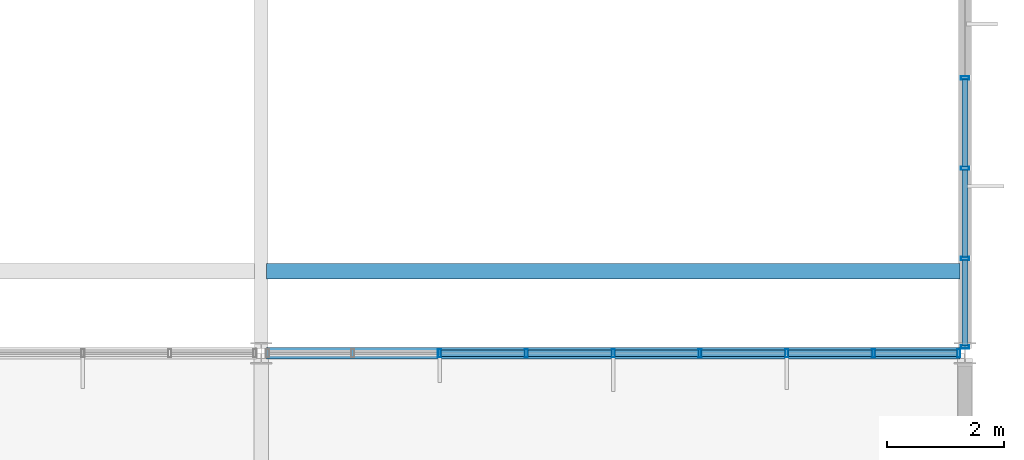
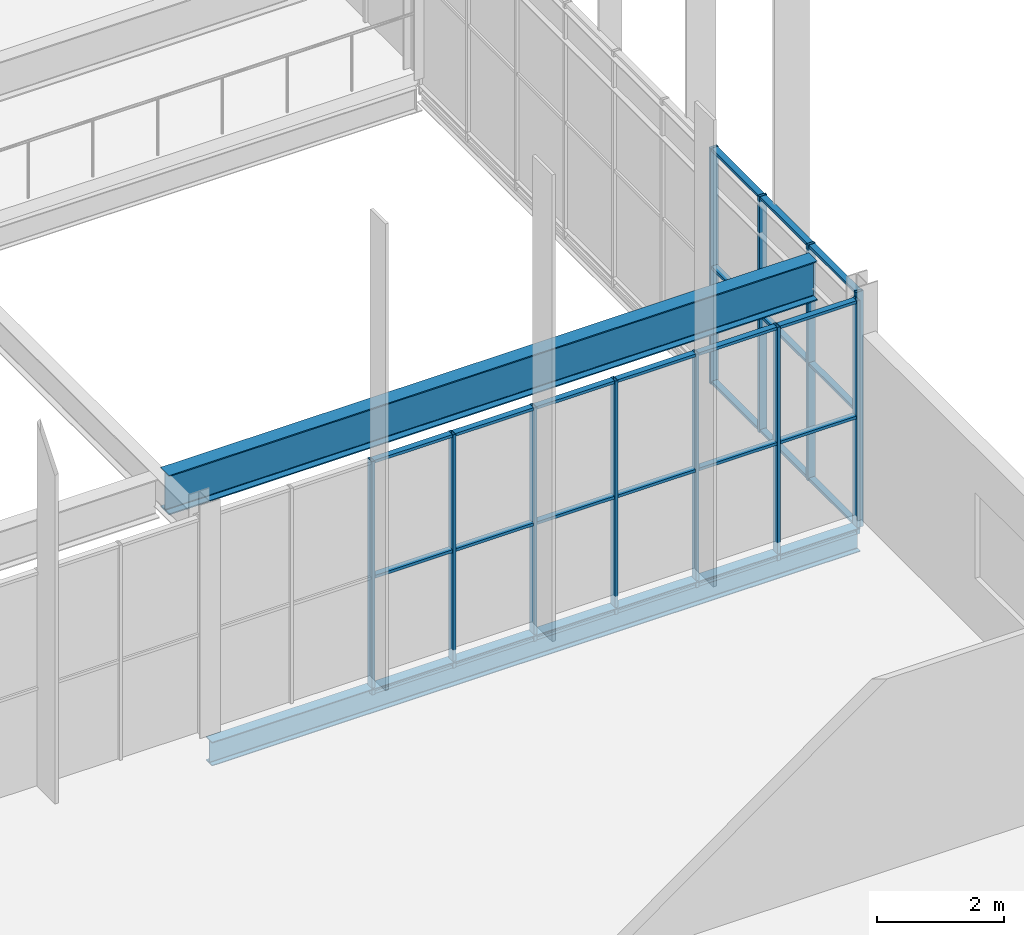
# One storey, part 198 of 324: 38 members, 2 beams, 2 elements without a shape of their own.
"""IFC4 building model written with IfcOpenShell, lengths in metres."""

from ifc_helpers import new_model, si_unit, direction, frame, origin, origin_2d, place, context, subcontext, project, spatial, hollow_rectangle, i_section, extrude, material, layer, layer_set, material_profile, profile_set, type_object, element, aggregate, save


model = new_model("IFC4")

# Units and contexts
model_context = context("Model", 3, precision=1e-05, world=origin(), true_north=direction((0.0, 1.0)))
body_context = subcontext(model_context, "Body", "Model", "MODEL_VIEW")
ifc_project = project(units=[si_unit("LENGTHUNIT", "METRE"), si_unit("AREAUNIT", "SQUARE_METRE"), si_unit("VOLUMEUNIT", "CUBIC_METRE"), si_unit("PLANEANGLEUNIT", "RADIAN"), si_unit("MASSUNIT", "GRAM", prefix="KILO")], contexts=[model_context])

# Site, building, storey
site_placement = place(None, origin())
site = spatial("IfcSite", under=ifc_project, at=site_placement, CompositionType="ELEMENT")
building_placement = place(site_placement, origin())
building = spatial("IfcBuilding", under=site, at=building_placement, Name="Solvenia Promenade Tram Depot", CompositionType="ELEMENT")
storey_placement = place(building_placement, frame((0.0, 0.0, 4.5)))
storey = spatial("IfcBuildingStorey", under=building, at=storey_placement, Name="L01", CompositionType="ELEMENT", Elevation=4.5)

# Curtain wall, members
ifc_material_1 = material(Name="Anodized aluminium AW-6063 T6", Category="aluminium")
ifc_layer = layer(ifc_material_1, 0.080078125, Name="Anodized aluminium AW-6063 T6", Category="aluminium")
ifc_layer_set = layer_set([ifc_layer], Name="Anodized aluminium AW-6063 T6")
curtain_wall_type = type_object("IfcCurtainWallType", Name="CW-Clerest-1500", PredefinedType="NOTDEFINED", material=ifc_layer_set)
curtain_wall_1_placement = place(storey_placement, origin())
curtain_wall_1 = element("IfcCurtainWall", 1, at=curtain_wall_1_placement, inside=storey, type_object=curtain_wall_type, Name="Curtain Wall CW-V2S-L1-09", PredefinedType="NOTDEFINED")
ifc_material_profile_1 = material_profile(ifc_material_1, hollow_rectangle(XDim=0.139892578125, YDim=0.054931640625, WallThickness=0.00390625, at=origin_2d()), Name="ALU-M4", Category="aluminium")
ifc_profile_set_1 = profile_set([ifc_material_profile_1], Name="Anodized aluminium AW-6063 T6")
member_type_1 = type_object("IfcMemberType", Name="CWM-Mullion-4", PredefinedType="MULLION", material=ifc_profile_set_1)
member_1_placement = place(storey_placement, frame((177.0400390625, 24.0, -0.35009765625), z_axis=(0.0, 0.0, 1.0), x_axis=(0.0, 1.0, 0.0)))
member_1 = element("IfcMember", 2, at=member_1_placement, type_object=member_type_1, Name="CW-4 mullion 3", PredefinedType="MULLION", context=body_context, shape_type="SweptSolid", body=[
    extrude(hollow_rectangle(XDim=0.139892578125, YDim=0.054931640625, WallThickness=0.00390625, at=origin_2d()), origin(), (0.0, 0.0, 1.0), 4.5),
])
member_2_placement = place(storey_placement, frame((178.52001953125, 24.0, -0.35009765625), z_axis=(0.0, 0.0, 1.0), x_axis=(0.0, 1.0, 0.0)))
member_2 = element("IfcMember", 3, at=member_2_placement, type_object=member_type_1, Name="CW-4 mullion 4", PredefinedType="MULLION", context=body_context, shape_type="SweptSolid", body=[
    extrude(hollow_rectangle(XDim=0.139892578125, YDim=0.054931640625, WallThickness=0.00390625, at=origin_2d()), origin(), (0.0, 0.0, 1.0), 4.5),
])
member_3_placement = place(storey_placement, frame((180.0, 24.0, -0.35009765625), z_axis=(0.0, 0.0, 1.0), x_axis=(0.0, 1.0, 0.0)))
member_3 = element("IfcMember", 4, at=member_3_placement, type_object=member_type_1, Name="CW-4 mullion 5", PredefinedType="MULLION", context=body_context, shape_type="SweptSolid", body=[
    extrude(hollow_rectangle(XDim=0.139892578125, YDim=0.054931640625, WallThickness=0.00390625, at=origin_2d()), origin(), (0.0, 0.0, 1.0), 4.5),
])
member_4_placement = place(storey_placement, frame((181.47998046875, 24.0, -0.35009765625), z_axis=(0.0, 0.0, 1.0), x_axis=(0.0, 1.0, 0.0)))
member_4 = element("IfcMember", 5, at=member_4_placement, type_object=member_type_1, Name="CW-4 mullion 6", PredefinedType="MULLION", context=body_context, shape_type="SweptSolid", body=[
    extrude(hollow_rectangle(XDim=0.139892578125, YDim=0.054931640625, WallThickness=0.00390625, at=origin_2d()), origin(), (0.0, 0.0, 1.0), 4.5),
])
member_5_placement = place(storey_placement, frame((182.9599609375, 24.0, -0.35009765625), z_axis=(0.0, 0.0, 1.0), x_axis=(0.0, 1.0, 0.0)))
member_5 = element("IfcMember", 6, at=member_5_placement, type_object=member_type_1, Name="CW-4 mullion 7", PredefinedType="MULLION", context=body_context, shape_type="SweptSolid", body=[
    extrude(hollow_rectangle(XDim=0.139892578125, YDim=0.054931640625, WallThickness=0.00390625, at=origin_2d()), origin(), (0.0, 0.0, 1.0), 4.5),
])
member_6_placement = place(storey_placement, frame((184.43994140625, 24.0, -0.35009765625), z_axis=(0.0, 0.0, 1.0), x_axis=(0.0, 1.0, 0.0)))
member_6 = element("IfcMember", 7, at=member_6_placement, type_object=member_type_1, Name="CW-4 mullion 8", PredefinedType="MULLION", context=body_context, shape_type="SweptSolid", body=[
    extrude(hollow_rectangle(XDim=0.139892578125, YDim=0.054931640625, WallThickness=0.00390625, at=origin_2d()), origin(), (0.0, 0.0, 1.0), 4.5),
])
member_7_placement = place(storey_placement, frame((185.892578125, 24.0, -0.35009765625), z_axis=(0.0, 0.0, 1.0), x_axis=(0.0, 1.0, 0.0)))
member_7 = element("IfcMember", 8, at=member_7_placement, type_object=member_type_1, Name="CW-4 mullion 9", PredefinedType="MULLION", context=body_context, shape_type="SweptSolid", body=[
    extrude(hollow_rectangle(XDim=0.139892578125, YDim=0.054931640625, WallThickness=0.00390625, at=origin_2d()), origin(), (0.0, 0.0, 1.0), 4.5),
])

curtain_wall_2_placement = place(storey_placement, origin())
curtain_wall_2 = element("IfcCurtainWall", 9, at=curtain_wall_2_placement, inside=storey, type_object=curtain_wall_type, Name="Curtain Wall CW-V2E-L1-1", PredefinedType="NOTDEFINED")
member_8_placement = place(storey_placement, frame((186.0, 24.107421875, -0.35009765625), z_axis=(0.0, 0.0, 1.0), x_axis=(-1.0, 0.0, 0.0)))
member_8 = element("IfcMember", 10, at=member_8_placement, type_object=member_type_1, Name="CW-4 mullion 1", PredefinedType="MULLION", context=body_context, shape_type="SweptSolid", body=[
    extrude(hollow_rectangle(XDim=0.139892578125, YDim=0.054931640625, WallThickness=0.00390625, at=origin_2d()), origin(), (0.0, 0.0, 1.0), 4.550048828125),
])
member_9_placement = place(storey_placement, frame((186.0, 25.61767578125, -0.35009765625), z_axis=(0.0, 0.0, 1.0), x_axis=(-1.0, 0.0, 0.0)))
member_9 = element("IfcMember", 11, at=member_9_placement, type_object=member_type_1, Name="CW-4 mullion 2", PredefinedType="MULLION", context=body_context, shape_type="SweptSolid", body=[
    extrude(hollow_rectangle(XDim=0.139892578125, YDim=0.054931640625, WallThickness=0.00390625, at=origin_2d()), origin(), (0.0, 0.0, 1.0), 4.550048828125),
])
member_10_placement = place(storey_placement, frame((186.0, 27.155517578125, -0.35009765625), z_axis=(0.0, 0.0, 1.0), x_axis=(-1.0, 0.0, 0.0)))
member_10 = element("IfcMember", 12, at=member_10_placement, type_object=member_type_1, Name="CW-4 mullion 3", PredefinedType="MULLION", context=body_context, shape_type="SweptSolid", body=[
    extrude(hollow_rectangle(XDim=0.139892578125, YDim=0.054931640625, WallThickness=0.00390625, at=origin_2d()), origin(), (0.0, 0.0, 1.0), 4.550048828125),
])
member_11_placement = place(storey_placement, frame((186.0, 28.693359375, -0.35009765625), z_axis=(0.0, 0.0, 1.0), x_axis=(-1.0, 0.0, 0.0)))
member_11 = element("IfcMember", 13, at=member_11_placement, type_object=member_type_1, Name="CW-4 mullion 4", PredefinedType="MULLION", context=body_context, shape_type="SweptSolid", body=[
    extrude(hollow_rectangle(XDim=0.139892578125, YDim=0.054931640625, WallThickness=0.00390625, at=origin_2d()), origin(), (0.0, 0.0, 1.0), 4.550048828125),
])

# Member
ifc_material_profile_2 = material_profile(ifc_material_1, hollow_rectangle(XDim=0.110107421875, YDim=0.054931640625, WallThickness=0.00390625, at=origin_2d()), Name="ALU-T4", Category="aluminium")
ifc_profile_set_2 = profile_set([ifc_material_profile_2], Name="Anodized aluminium AW-6063 T6")
member_type_2 = type_object("IfcMemberType", Name="CWT-Transom-4", PredefinedType="USERDEFINED", material=ifc_profile_set_2)
member_12_placement = place(storey_placement, frame((177.0673828125, 24.0, -0.322509765625), z_axis=(1.0, 0.0, 0.0), x_axis=(0.0, 1.0, 0.0)))
member_12 = element("IfcMember", 14, at=member_12_placement, type_object=member_type_2, Name="CW-4 transom 3.1", ObjectType="TRANSOM", PredefinedType="USERDEFINED", context=body_context, shape_type="SweptSolid", body=[
    extrude(hollow_rectangle(XDim=0.110107421875, YDim=0.054931640625, WallThickness=0.00390625, at=origin_2d()), origin(), (0.0, 0.0, 1.0), 1.425048828125),
])

member_13_placement = place(storey_placement, frame((177.0673828125, 24.0, 1.89990234375), z_axis=(1.0, 0.0, 0.0), x_axis=(0.0, 1.0, 0.0)))
member_13 = element("IfcMember", 15, at=member_13_placement, type_object=member_type_2, Name="CW-4 transom 3.2", ObjectType="TRANSOM", PredefinedType="USERDEFINED", context=body_context, shape_type="SweptSolid", body=[
    extrude(hollow_rectangle(XDim=0.110107421875, YDim=0.054931640625, WallThickness=0.00390625, at=origin_2d()), origin(), (0.0, 0.0, 1.0), 1.425048828125),
])

member_14_placement = place(storey_placement, frame((177.0673828125, 24.0, 4.12255859375), z_axis=(1.0, 0.0, 0.0), x_axis=(0.0, 1.0, 0.0)))
member_14 = element("IfcMember", 16, at=member_14_placement, type_object=member_type_2, Name="CW-4 transom 3.3", ObjectType="TRANSOM", PredefinedType="USERDEFINED", context=body_context, shape_type="SweptSolid", body=[
    extrude(hollow_rectangle(XDim=0.110107421875, YDim=0.054931640625, WallThickness=0.00390625, at=origin_2d()), origin(), (0.0, 0.0, 1.0), 1.425048828125),
])

member_15_placement = place(storey_placement, frame((178.547607421875, 24.0, -0.322509765625), z_axis=(1.0, 0.0, 0.0), x_axis=(0.0, 1.0, 0.0)))
member_15 = element("IfcMember", 17, at=member_15_placement, type_object=member_type_2, Name="CW-4 transom 4.1", ObjectType="TRANSOM", PredefinedType="USERDEFINED", context=body_context, shape_type="SweptSolid", body=[
    extrude(hollow_rectangle(XDim=0.110107421875, YDim=0.054931640625, WallThickness=0.00390625, at=origin_2d()), origin(), (0.0, 0.0, 1.0), 1.4248046875),
])

member_16_placement = place(storey_placement, frame((178.547607421875, 24.0, 1.89990234375), z_axis=(1.0, 0.0, 0.0), x_axis=(0.0, 1.0, 0.0)))
member_16 = element("IfcMember", 18, at=member_16_placement, type_object=member_type_2, Name="CW-4 transom 4.2", ObjectType="TRANSOM", PredefinedType="USERDEFINED", context=body_context, shape_type="SweptSolid", body=[
    extrude(hollow_rectangle(XDim=0.110107421875, YDim=0.054931640625, WallThickness=0.00390625, at=origin_2d()), origin(), (0.0, 0.0, 1.0), 1.4248046875),
])

member_17_placement = place(storey_placement, frame((178.547607421875, 24.0, 4.12255859375), z_axis=(1.0, 0.0, 0.0), x_axis=(0.0, 1.0, 0.0)))
member_17 = element("IfcMember", 19, at=member_17_placement, type_object=member_type_2, Name="CW-4 transom 4.3", ObjectType="TRANSOM", PredefinedType="USERDEFINED", context=body_context, shape_type="SweptSolid", body=[
    extrude(hollow_rectangle(XDim=0.110107421875, YDim=0.054931640625, WallThickness=0.00390625, at=origin_2d()), origin(), (0.0, 0.0, 1.0), 1.4248046875),
])

member_18_placement = place(storey_placement, frame((180.027587890625, 24.0, -0.322509765625), z_axis=(1.0, 0.0, 0.0), x_axis=(0.0, 1.0, 0.0)))
member_18 = element("IfcMember", 20, at=member_18_placement, type_object=member_type_2, Name="CW-4 transom 5.1", ObjectType="TRANSOM", PredefinedType="USERDEFINED", context=body_context, shape_type="SweptSolid", body=[
    extrude(hollow_rectangle(XDim=0.110107421875, YDim=0.054931640625, WallThickness=0.00390625, at=origin_2d()), origin(), (0.0, 0.0, 1.0), 1.4248046875),
])

member_19_placement = place(storey_placement, frame((180.027587890625, 24.0, 1.89990234375), z_axis=(1.0, 0.0, 0.0), x_axis=(0.0, 1.0, 0.0)))
member_19 = element("IfcMember", 21, at=member_19_placement, type_object=member_type_2, Name="CW-4 transom 5.2", ObjectType="TRANSOM", PredefinedType="USERDEFINED", context=body_context, shape_type="SweptSolid", body=[
    extrude(hollow_rectangle(XDim=0.110107421875, YDim=0.054931640625, WallThickness=0.00390625, at=origin_2d()), origin(), (0.0, 0.0, 1.0), 1.4248046875),
])

member_20_placement = place(storey_placement, frame((180.027587890625, 24.0, 4.12255859375), z_axis=(1.0, 0.0, 0.0), x_axis=(0.0, 1.0, 0.0)))
member_20 = element("IfcMember", 22, at=member_20_placement, type_object=member_type_2, Name="CW-4 transom 5.3", ObjectType="TRANSOM", PredefinedType="USERDEFINED", context=body_context, shape_type="SweptSolid", body=[
    extrude(hollow_rectangle(XDim=0.110107421875, YDim=0.054931640625, WallThickness=0.00390625, at=origin_2d()), origin(), (0.0, 0.0, 1.0), 1.4248046875),
])

member_21_placement = place(storey_placement, frame((181.507568359375, 24.0, -0.322509765625), z_axis=(1.0, 0.0, 0.0), x_axis=(0.0, 1.0, 0.0)))
member_21 = element("IfcMember", 23, at=member_21_placement, type_object=member_type_2, Name="CW-4 transom 6.1", ObjectType="TRANSOM", PredefinedType="USERDEFINED", context=body_context, shape_type="SweptSolid", body=[
    extrude(hollow_rectangle(XDim=0.110107421875, YDim=0.054931640625, WallThickness=0.00390625, at=origin_2d()), origin(), (0.0, 0.0, 1.0), 1.425048828125),
])

member_22_placement = place(storey_placement, frame((181.507568359375, 24.0, 1.89990234375), z_axis=(1.0, 0.0, 0.0), x_axis=(0.0, 1.0, 0.0)))
member_22 = element("IfcMember", 24, at=member_22_placement, type_object=member_type_2, Name="CW-4 transom 6.2", ObjectType="TRANSOM", PredefinedType="USERDEFINED", context=body_context, shape_type="SweptSolid", body=[
    extrude(hollow_rectangle(XDim=0.110107421875, YDim=0.054931640625, WallThickness=0.00390625, at=origin_2d()), origin(), (0.0, 0.0, 1.0), 1.425048828125),
])

member_23_placement = place(storey_placement, frame((181.507568359375, 24.0, 4.12255859375), z_axis=(1.0, 0.0, 0.0), x_axis=(0.0, 1.0, 0.0)))
member_23 = element("IfcMember", 25, at=member_23_placement, type_object=member_type_2, Name="CW-4 transom 6.3", ObjectType="TRANSOM", PredefinedType="USERDEFINED", context=body_context, shape_type="SweptSolid", body=[
    extrude(hollow_rectangle(XDim=0.110107421875, YDim=0.054931640625, WallThickness=0.00390625, at=origin_2d()), origin(), (0.0, 0.0, 1.0), 1.425048828125),
])

member_24_placement = place(storey_placement, frame((182.987548828125, 24.0, -0.322509765625), z_axis=(1.0, 0.0, 0.0), x_axis=(0.0, 1.0, 0.0)))
member_24 = element("IfcMember", 26, at=member_24_placement, type_object=member_type_2, Name="CW-4 transom 7.1", ObjectType="TRANSOM", PredefinedType="USERDEFINED", context=body_context, shape_type="SweptSolid", body=[
    extrude(hollow_rectangle(XDim=0.110107421875, YDim=0.054931640625, WallThickness=0.00390625, at=origin_2d()), origin(), (0.0, 0.0, 1.0), 1.425048828125),
])

member_25_placement = place(storey_placement, frame((182.987548828125, 24.0, 1.89990234375), z_axis=(1.0, 0.0, 0.0), x_axis=(0.0, 1.0, 0.0)))
member_25 = element("IfcMember", 27, at=member_25_placement, type_object=member_type_2, Name="CW-4 transom 7.2", ObjectType="TRANSOM", PredefinedType="USERDEFINED", context=body_context, shape_type="SweptSolid", body=[
    extrude(hollow_rectangle(XDim=0.110107421875, YDim=0.054931640625, WallThickness=0.00390625, at=origin_2d()), origin(), (0.0, 0.0, 1.0), 1.425048828125),
])

member_26_placement = place(storey_placement, frame((182.987548828125, 24.0, 4.12255859375), z_axis=(1.0, 0.0, 0.0), x_axis=(0.0, 1.0, 0.0)))
member_26 = element("IfcMember", 28, at=member_26_placement, type_object=member_type_2, Name="CW-4 transom 7.3", ObjectType="TRANSOM", PredefinedType="USERDEFINED", context=body_context, shape_type="SweptSolid", body=[
    extrude(hollow_rectangle(XDim=0.110107421875, YDim=0.054931640625, WallThickness=0.00390625, at=origin_2d()), origin(), (0.0, 0.0, 1.0), 1.425048828125),
])

member_27_placement = place(storey_placement, frame((184.467529296875, 24.0, -0.322509765625), z_axis=(1.0, 0.0, 0.0), x_axis=(0.0, 1.0, 0.0)))
member_27 = element("IfcMember", 29, at=member_27_placement, type_object=member_type_2, Name="CW-4 transom 8.1", ObjectType="TRANSOM", PredefinedType="USERDEFINED", context=body_context, shape_type="SweptSolid", body=[
    extrude(hollow_rectangle(XDim=0.110107421875, YDim=0.054931640625, WallThickness=0.00390625, at=origin_2d()), origin(), (0.0, 0.0, 1.0), 1.3974609375),
])

member_28_placement = place(storey_placement, frame((184.467529296875, 24.0, 1.89990234375), z_axis=(1.0, 0.0, 0.0), x_axis=(0.0, 1.0, 0.0)))
member_28 = element("IfcMember", 30, at=member_28_placement, type_object=member_type_2, Name="CW-4 transom 8.2", ObjectType="TRANSOM", PredefinedType="USERDEFINED", context=body_context, shape_type="SweptSolid", body=[
    extrude(hollow_rectangle(XDim=0.110107421875, YDim=0.054931640625, WallThickness=0.00390625, at=origin_2d()), origin(), (0.0, 0.0, 1.0), 1.3974609375),
])

member_29_placement = place(storey_placement, frame((184.467529296875, 24.0, 4.12255859375), z_axis=(1.0, 0.0, 0.0), x_axis=(0.0, 1.0, 0.0)))
member_29 = element("IfcMember", 31, at=member_29_placement, type_object=member_type_2, Name="CW-4 transom 8.3", ObjectType="TRANSOM", PredefinedType="USERDEFINED", context=body_context, shape_type="SweptSolid", body=[
    extrude(hollow_rectangle(XDim=0.110107421875, YDim=0.054931640625, WallThickness=0.00390625, at=origin_2d()), origin(), (0.0, 0.0, 1.0), 1.3974609375),
])

aggregate(curtain_wall_1, [member_1, member_2, member_3, member_4, member_5, member_6, member_7, member_12, member_13, member_14, member_15, member_16, member_17, member_18, member_19, member_20, member_21, member_22, member_23, member_24, member_25, member_26, member_27, member_28, member_29])

member_30_placement = place(storey_placement, frame((186.0, 24.135009765625, -0.322509765625), z_axis=(0.0, 1.0, 0.0), x_axis=(-1.0, 0.0, 0.0)))
member_30 = element("IfcMember", 32, at=member_30_placement, type_object=member_type_2, Name="CW-4 transom 1.1", ObjectType="TRANSOM", PredefinedType="USERDEFINED", context=body_context, shape_type="SweptSolid", body=[
    extrude(hollow_rectangle(XDim=0.110107421875, YDim=0.054931640625, WallThickness=0.00390625, at=origin_2d()), origin(), (0.0, 0.0, 1.0), 1.455322265625),
])

member_31_placement = place(storey_placement, frame((186.0, 24.135009765625, 1.89990234375), z_axis=(0.0, 1.0, 0.0), x_axis=(-1.0, 0.0, 0.0)))
member_31 = element("IfcMember", 33, at=member_31_placement, type_object=member_type_2, Name="CW-4 transom 1.2", ObjectType="TRANSOM", PredefinedType="USERDEFINED", context=body_context, shape_type="SweptSolid", body=[
    extrude(hollow_rectangle(XDim=0.110107421875, YDim=0.054931640625, WallThickness=0.00390625, at=origin_2d()), origin(), (0.0, 0.0, 1.0), 1.455322265625),
])

member_32_placement = place(storey_placement, frame((186.0, 24.135009765625, 4.172607421875), z_axis=(0.0, 1.0, 0.0), x_axis=(-1.0, 0.0, 0.0)))
member_32 = element("IfcMember", 34, at=member_32_placement, type_object=member_type_2, Name="CW-4 transom 1.3", ObjectType="TRANSOM", PredefinedType="USERDEFINED", context=body_context, shape_type="SweptSolid", body=[
    extrude(hollow_rectangle(XDim=0.110107421875, YDim=0.054931640625, WallThickness=0.00390625, at=origin_2d()), origin(), (0.0, 0.0, 1.0), 1.455322265625),
])

member_33_placement = place(storey_placement, frame((186.0, 25.645263671875, -0.322509765625), z_axis=(0.0, 1.0, 0.0), x_axis=(-1.0, 0.0, 0.0)))
member_33 = element("IfcMember", 35, at=member_33_placement, type_object=member_type_2, Name="CW-4 transom 2.1", ObjectType="TRANSOM", PredefinedType="USERDEFINED", context=body_context, shape_type="SweptSolid", body=[
    extrude(hollow_rectangle(XDim=0.110107421875, YDim=0.054931640625, WallThickness=0.00390625, at=origin_2d()), origin(), (0.0, 0.0, 1.0), 1.48291015625),
])

member_34_placement = place(storey_placement, frame((186.0, 25.645263671875, 1.89990234375), z_axis=(0.0, 1.0, 0.0), x_axis=(-1.0, 0.0, 0.0)))
member_34 = element("IfcMember", 36, at=member_34_placement, type_object=member_type_2, Name="CW-4 transom 2.2", ObjectType="TRANSOM", PredefinedType="USERDEFINED", context=body_context, shape_type="SweptSolid", body=[
    extrude(hollow_rectangle(XDim=0.110107421875, YDim=0.054931640625, WallThickness=0.00390625, at=origin_2d()), origin(), (0.0, 0.0, 1.0), 1.48291015625),
])

member_35_placement = place(storey_placement, frame((186.0, 25.645263671875, 4.172607421875), z_axis=(0.0, 1.0, 0.0), x_axis=(-1.0, 0.0, 0.0)))
member_35 = element("IfcMember", 37, at=member_35_placement, type_object=member_type_2, Name="CW-4 transom 2.3", ObjectType="TRANSOM", PredefinedType="USERDEFINED", context=body_context, shape_type="SweptSolid", body=[
    extrude(hollow_rectangle(XDim=0.110107421875, YDim=0.054931640625, WallThickness=0.00390625, at=origin_2d()), origin(), (0.0, 0.0, 1.0), 1.48291015625),
])

member_36_placement = place(storey_placement, frame((186.0, 27.18310546875, -0.322509765625), z_axis=(0.0, 1.0, 0.0), x_axis=(-1.0, 0.0, 0.0)))
member_36 = element("IfcMember", 38, at=member_36_placement, type_object=member_type_2, Name="CW-4 transom 3.1", ObjectType="TRANSOM", PredefinedType="USERDEFINED", context=body_context, shape_type="SweptSolid", body=[
    extrude(hollow_rectangle(XDim=0.110107421875, YDim=0.054931640625, WallThickness=0.00390625, at=origin_2d()), origin(), (0.0, 0.0, 1.0), 1.482666015625),
])

member_37_placement = place(storey_placement, frame((186.0, 27.18310546875, 1.89990234375), z_axis=(0.0, 1.0, 0.0), x_axis=(-1.0, 0.0, 0.0)))
member_37 = element("IfcMember", 39, at=member_37_placement, type_object=member_type_2, Name="CW-4 transom 3.2", ObjectType="TRANSOM", PredefinedType="USERDEFINED", context=body_context, shape_type="SweptSolid", body=[
    extrude(hollow_rectangle(XDim=0.110107421875, YDim=0.054931640625, WallThickness=0.00390625, at=origin_2d()), origin(), (0.0, 0.0, 1.0), 1.482666015625),
])

member_38_placement = place(storey_placement, frame((186.0, 27.18310546875, 4.172607421875), z_axis=(0.0, 1.0, 0.0), x_axis=(-1.0, 0.0, 0.0)))
member_38 = element("IfcMember", 40, at=member_38_placement, type_object=member_type_2, Name="CW-4 transom 3.3", ObjectType="TRANSOM", PredefinedType="USERDEFINED", context=body_context, shape_type="SweptSolid", body=[
    extrude(hollow_rectangle(XDim=0.110107421875, YDim=0.054931640625, WallThickness=0.00390625, at=origin_2d()), origin(), (0.0, 0.0, 1.0), 1.482666015625),
])

aggregate(curtain_wall_2, [member_8, member_9, member_10, member_11, member_30, member_31, member_32, member_33, member_34, member_35, member_36, member_37, member_38])

# Beams
ifc_material_2 = material(Name="Structural steel ASTM A992 Gr. 50", Category="steel")
ifc_material_profile_3 = material_profile(ifc_material_2, i_section(OverallWidth=0.26708984375, OverallDepth=0.761962890625, WebThickness=0.014404296875, FlangeThickness=0.021484375, FilletRadius=0.01806640625, at=origin_2d()), Name="W760x173", Category="steel")
ifc_profile_set_3 = profile_set([ifc_material_profile_3], Name="Structural steel ASTM A992 Gr. 50")
beam_type_1 = type_object("IfcBeamType", Name="Gird-W760x173", PredefinedType="BEAM", material=ifc_profile_set_3)
beam_1_placement = place(storey_placement, frame((174.0849609375, 25.39990234375, 3.718994140625), z_axis=(1.0, 0.0, 0.0), x_axis=(0.0, 1.0, 0.0)))
element("IfcBeam", 41, at=beam_1_placement, inside=storey, type_object=beam_type_1, Name="Bridge Crane Runway Girder BM-L01-0924", PredefinedType="BEAM", context=body_context, shape_type="SweptSolid", body=[
    extrude(i_section(OverallWidth=0.26708984375, OverallDepth=0.761962890625, WebThickness=0.014404296875, FlangeThickness=0.021484375, FilletRadius=0.01806640625, at=origin_2d()), origin(), (0.0, 0.0, 1.0), 11.830078125),
])
ifc_material_profile_4 = material_profile(ifc_material_2, i_section(OverallWidth=0.19091796875, OverallDepth=0.4599609375, WebThickness=0.010009765625, FlangeThickness=0.01611328125, FilletRadius=0.012939453125, at=origin_2d()), Name="W460x82", Category="steel")
ifc_profile_set_4 = profile_set([ifc_material_profile_4], Name="Structural steel ASTM A992 Gr. 50")
beam_type_2 = type_object("IfcBeamType", Name="Spandrel-W460x82", PredefinedType="SPANDREL", material=ifc_profile_set_4)
beam_2_placement = place(storey_placement, frame((174.0849609375, 24.0, -0.449951171875), z_axis=(1.0, 0.0, 0.0), x_axis=(0.0, 1.0, 0.0)))
element("IfcBeam", 42, at=beam_2_placement, inside=storey, type_object=beam_type_2, Name="Perimeter Spandrel BM-L01-0423", PredefinedType="SPANDREL", context=body_context, shape_type="SweptSolid", body=[
    extrude(i_section(OverallWidth=0.19091796875, OverallDepth=0.4599609375, WebThickness=0.010009765625, FlangeThickness=0.01611328125, FilletRadius=0.012939453125, at=origin_2d()), origin(), (0.0, 0.0, 1.0), 11.830078125),
])

save(model, "model.ifc")
